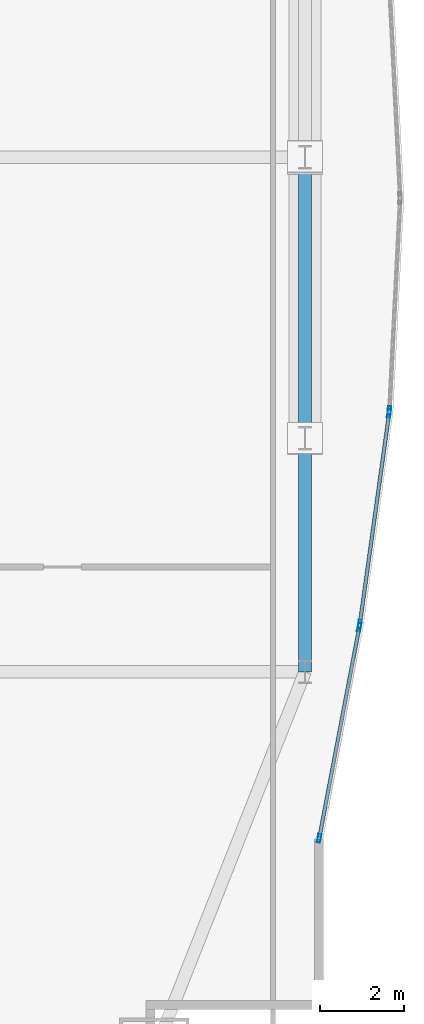
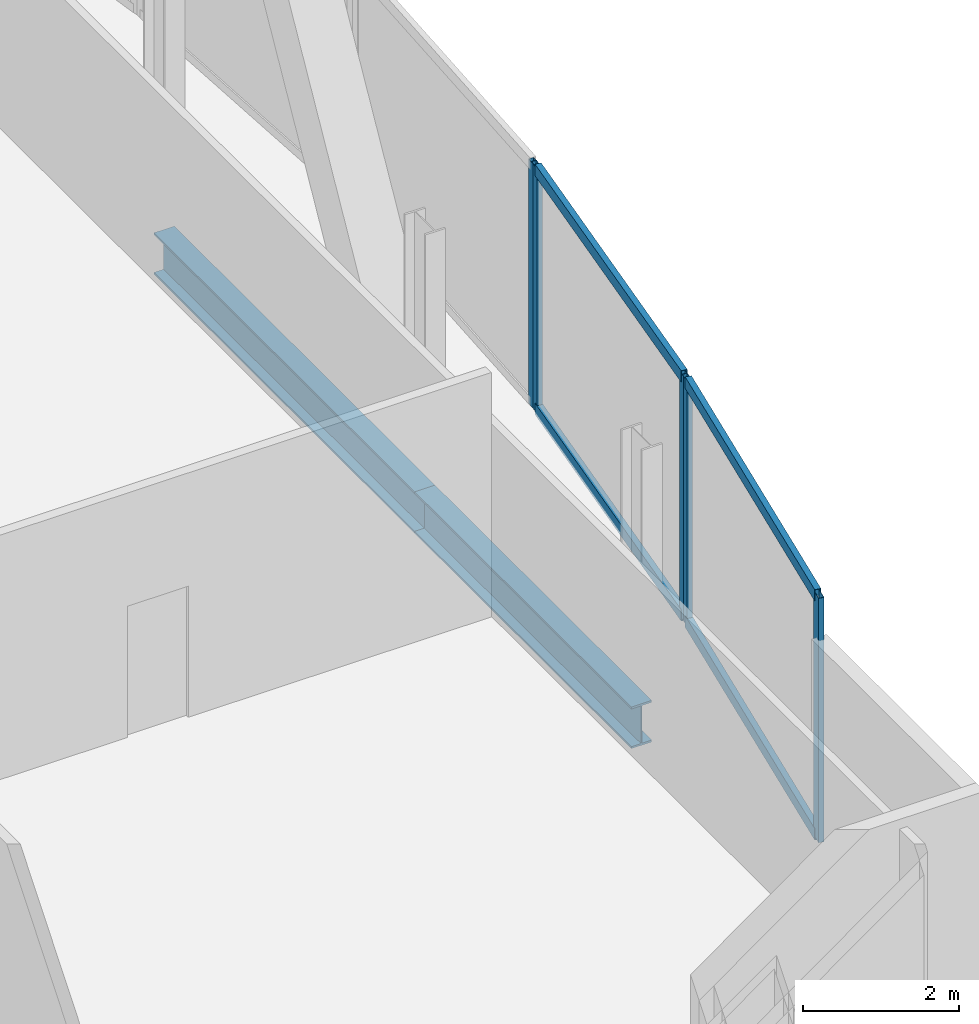
# One storey, part 22 of 37: 9 members, 2 beams, 3 elements without a shape of their own.
"""IFC4 building model written with IfcOpenShell, lengths in metres."""

import ifcopenshell
import ifcopenshell.guid

model = None  # the IFC model being written
_history = None  # IfcOwnerHistory: only IFC2X3 demands one
_inside = {}  # id of a spatial element -> (the spatial element, [elements in it])
_under = {}  # id of a project, library or spatial element -> (it, [spatial elements below it])
_declared = {}  # id of a project -> (the project, [libraries it declares])
_typed = {}  # id of a type object -> (the type object, [elements of that type])
_made_of = {}  # id of a material, layer set ... -> (it, [elements and type objects made of it])


def new_model(schema):
    """Start an empty IFC model of exactly this schema.

    Asked for "IFC4X3", IfcOpenShell would pick the latest addendum, in which some entities
    have other attributes; the version numbers below select the first issue.
    IFC2X3 requires an IfcOwnerHistory on every rooted entity: one is made here for all.
    """
    global model, _history
    if schema == "IFC4X3":
        model = ifcopenshell.file(schema_version=(4, 3, 0, 0))
    else:
        model = ifcopenshell.file(schema=schema)
    _inside.clear()
    _under.clear()
    _declared.clear()
    _typed.clear()
    _made_of.clear()
    _history = None
    if model.schema == "IFC2X3":
        org = make("IfcOrganization", Name="unknown")
        user = make(
            "IfcPersonAndOrganization",
            ThePerson=make("IfcPerson", FamilyName="unknown"),
            TheOrganization=org,
        )
        app = make(
            "IfcApplication",
            ApplicationDeveloper=org,
            Version="unknown",
            ApplicationFullName="unknown",
            ApplicationIdentifier="unknown",
        )
        _history = make(
            "IfcOwnerHistory",
            OwningUser=user,
            OwningApplication=app,
            ChangeAction="ADDED",
            CreationDate=0,
        )
    return model


def make(cls, **values):
    """One entity of the class cls with the attributes given. An attribute that is None is left unset."""
    return model.create_entity(
        cls, **{name: value for name, value in values.items() if value is not None}
    )


def rooted(cls, **values):
    """An entity with a GlobalId (a new one), such as an element, a storey or a relation."""
    return make(cls, GlobalId=ifcopenshell.guid.new(), OwnerHistory=_history, **values)


def si_unit(unit_type, name, prefix=None):
    """IfcSIUnit, for example si_unit("LENGTHUNIT", "METRE", prefix="MILLI")."""
    return make("IfcSIUnit", UnitType=unit_type, Prefix=prefix, Name=name)


def assignment(units):
    """IfcUnitAssignment: the units of a project."""
    return None if units is None else make("IfcUnitAssignment", Units=units)


def point(xyz):
    """IfcCartesianPoint."""
    return None if xyz is None else make("IfcCartesianPoint", Coordinates=xyz)


def direction(xyz):
    """IfcDirection."""
    return None if xyz is None else make("IfcDirection", DirectionRatios=xyz)


def frame(location, z_axis=None, x_axis=None):
    """IfcAxis2Placement3D, a coordinate frame: its origin and axes. An axis left out is left unset."""
    return make(
        "IfcAxis2Placement3D",
        Location=point(location),
        Axis=direction(z_axis),
        RefDirection=direction(x_axis),
    )


def frame_2d(location, x_axis=None):
    """IfcAxis2Placement2D, a coordinate frame in the plane: its origin and x axis."""
    return make(
        "IfcAxis2Placement2D", Location=point(location), RefDirection=direction(x_axis)
    )


def origin():
    """The frame at (0, 0, 0) with its axes left unset."""
    return frame((0.0, 0.0, 0.0))


def origin_2d():
    """The frame at (0, 0) in the plane with its x axis left unset."""
    return frame_2d((0.0, 0.0))


def place(relative_to, where):
    """IfcLocalPlacement: puts the frame where relative to a parent placement (None: the world)."""
    return make(
        "IfcLocalPlacement", PlacementRelTo=relative_to, RelativePlacement=where
    )


def context(
    kind, dimensions, precision=None, world=None, true_north=None, identifier=None
):
    """IfcGeometricRepresentationContext, for example the 3D "Model" context."""
    return make(
        "IfcGeometricRepresentationContext",
        ContextIdentifier=identifier,
        ContextType=kind,
        CoordinateSpaceDimension=dimensions,
        Precision=precision,
        WorldCoordinateSystem=world,
        TrueNorth=true_north,
    )


def subcontext(parent, identifier, kind, view, scale=None):
    """IfcGeometricRepresentationSubContext, for example "Body" below "Model"."""
    return make(
        "IfcGeometricRepresentationSubContext",
        ContextIdentifier=identifier,
        ContextType=kind,
        ParentContext=parent,
        TargetScale=scale,
        TargetView=view,
    )


def project(units=None, contexts=None):
    """IfcProject with its units and contexts."""
    return rooted(
        "IfcProject",
        Name="project",
        RepresentationContexts=contexts,
        UnitsInContext=assignment(units),
    )


def spatial(cls, under=None, at=None, **own):
    """A site, building, storey or space (cls), placed at a placement, below another one or the project."""
    s = rooted(cls, ObjectPlacement=at, **own)
    if under is not None:
        _under.setdefault(under.id(), (under, []))[1].append(s)
    return s


def profile(cls, at=None, kind="AREA", **sizes):
    """A parametric profile (cls). Its sizes go by their IFC names, for example OverallWidth=200.0."""
    return make(cls, ProfileType=kind, Position=at, **sizes)


def hollow_rectangle(**sizes):
    """IfcRectangleHollowProfileDef."""
    return profile("IfcRectangleHollowProfileDef", **sizes)


def i_section(**sizes):
    """IfcIShapeProfileDef."""
    return profile("IfcIShapeProfileDef", **sizes)


def extrude(swept, where, along, depth):
    """IfcExtrudedAreaSolid: the profile swept, set in the frame where, extruded along a direction by depth."""
    return make(
        "IfcExtrudedAreaSolid",
        SweptArea=swept,
        Position=where,
        ExtrudedDirection=direction(along),
        Depth=depth,
    )


def shape(context_of_items, identifier, shape_type, items):
    """IfcShapeRepresentation: the items that make up one representation, for example the "Body"."""
    return make(
        "IfcShapeRepresentation",
        ContextOfItems=context_of_items,
        RepresentationIdentifier=identifier,
        RepresentationType=shape_type,
        Items=items,
    )


def material(Name=None, Category=None):
    """IfcMaterial."""
    return make("IfcMaterial", Name=Name, Category=Category)


def material_profile(
    of_material, cross_section, Name=None, Category=None, Priority=None
):
    """IfcMaterialProfile: a cross section and its material."""
    return make(
        "IfcMaterialProfile",
        Name=Name,
        Material=of_material,
        Profile=cross_section,
        Priority=Priority,
        Category=Category,
    )


def profile_set(profiles, Name=None, composite=None):
    """IfcMaterialProfileSet."""
    return make(
        "IfcMaterialProfileSet",
        Name=Name,
        MaterialProfiles=profiles,
        CompositeProfile=composite,
    )


def made_of(thing, what):
    """Note that an element or type object is made of a material, layer set ...; save() writes the relation."""
    if what is not None:
        _made_of.setdefault(what.id(), (what, []))[1].append(thing)
    return thing


def type_object(cls, material=None, **own):
    """A type object (cls), such as IfcWallType, which elements share."""
    return made_of(rooted(cls, **own), material)


def element(
    cls,
    number,
    at=None,
    inside=None,
    cuts=None,
    type_object=None,
    material=None,
    context=None,
    identifier="Body",
    shape_type=None,
    held_by="IfcProductDefinitionShape",
    body=None,
    shapes=None,
    **own,
):
    """One element of the class cls, such as IfcWall. Its Tag is "e" and its number.

    at: its placement. inside: the storey or other place that contains it. cuts: it is an
    opening in that element (IfcRelVoidsElement). A single representation is given by context,
    identifier, shape_type and body (its items); several are given by shapes. held_by: the class
    of the entity that holds the representations. save() writes the other relations.
    """
    e = rooted(cls, Tag="e%d" % number, ObjectPlacement=at, **own)
    if body is not None:
        shapes = [shape(context, identifier, shape_type, body)]
    if shapes is not None:
        e.Representation = make(held_by, Representations=shapes)
    if inside is not None:
        _inside.setdefault(inside.id(), (inside, []))[1].append(e)
    if cuts is not None:
        rooted(
            "IfcRelVoidsElement", RelatingBuildingElement=cuts, RelatedOpeningElement=e
        )
    if type_object is not None:
        _typed.setdefault(type_object.id(), (type_object, []))[1].append(e)
    return made_of(e, material)


def aggregate(whole, parts):
    """IfcRelAggregates: a whole, such as a stair, and the parts it consists of."""
    return rooted("IfcRelAggregates", RelatingObject=whole, RelatedObjects=parts)


def save(model, path):
    """Write the relations noted so far, then the file.

    IfcRelAggregates (storeys below a building ...), IfcRelContainedInSpatialStructure (elements
    in a storey), IfcRelDefinesByType, IfcRelAssociatesMaterial and IfcRelDeclares: one each for
    every whole, place, type object, material and project.
    """
    for whole, parts in _under.values():
        aggregate(whole, parts)
    for where, things in _inside.values():
        rooted(
            "IfcRelContainedInSpatialStructure",
            RelatedElements=things,
            RelatingStructure=where,
        )
    for kind, things in _typed.values():
        rooted("IfcRelDefinesByType", RelatedObjects=things, RelatingType=kind)
    for what, things in _made_of.values():
        rooted("IfcRelAssociatesMaterial", RelatedObjects=things, RelatingMaterial=what)
    for by, libraries in _declared.values():
        rooted("IfcRelDeclares", RelatingContext=by, RelatedDefinitions=libraries)
    model.write(path)


model = new_model("IFC4")

# Units and contexts
model_context = context("Model", 3, precision=1e-05, world=origin(), true_north=direction((0.0, 1.0)))
body_context = subcontext(model_context, "Body", "Model", "MODEL_VIEW")
ifc_project = project(units=[si_unit("LENGTHUNIT", "METRE"), si_unit("AREAUNIT", "SQUARE_METRE"), si_unit("VOLUMEUNIT", "CUBIC_METRE"), si_unit("PLANEANGLEUNIT", "RADIAN"), si_unit("MASSUNIT", "GRAM", prefix="KILO")], contexts=[model_context])

# Site, building, storey
site_placement = place(None, origin())
site = spatial("IfcSite", under=ifc_project, at=site_placement, CompositionType="ELEMENT")
building_placement = place(site_placement, origin())
building = spatial("IfcBuilding", under=site, at=building_placement, Name="Khoronbel Lancet Exchange", CompositionType="ELEMENT")
storey_placement = place(building_placement, frame((0.0, 0.0, 61.800048828125)))
storey = spatial("IfcBuildingStorey", under=building, at=storey_placement, Name="L14", CompositionType="ELEMENT", Elevation=61.800048828125)

# Beams
ifc_material_1 = material(Name="Steel S355", Category="steel")
ifc_material_profile_1 = material_profile(ifc_material_1, i_section(OverallWidth=0.300048828125, OverallDepth=0.64990234375, WebThickness=0.01611328125, FlangeThickness=0.031005859375, at=origin_2d()), Name="HEB 650")
ifc_profile_set_1 = profile_set([ifc_material_profile_1], Name="Steel S355")
beam_type = type_object("IfcBeamType", Name="BM-BSP1", PredefinedType="SPANDREL", material=ifc_profile_set_1)
beam_1_placement = place(storey_placement, frame((71.6298828125, 19.199951171875, -0.505126953125), z_axis=(0.0, 1.0, 0.0), x_axis=(-1.0, 0.0, 0.0)))
element("IfcBeam", 1, at=beam_1_placement, inside=storey, type_object=beam_type, Name="Level L14 perimeter spandrel beam SP11", PredefinedType="SPANDREL", context=body_context, shape_type="SweptSolid", body=[
    extrude(i_section(OverallWidth=0.300048828125, OverallDepth=0.64990234375, WebThickness=0.01611328125, FlangeThickness=0.031005859375, at=origin_2d()), origin(), (0.0, 0.0, 1.0), 5.550048828125),
])
beam_2_placement = place(storey_placement, frame((71.6298828125, 24.75, -0.505126953125), z_axis=(0.0, 1.0, 0.0), x_axis=(-1.0, 0.0, 0.0)))
element("IfcBeam", 2, at=beam_2_placement, inside=storey, type_object=beam_type, Name="Level L14 perimeter spandrel beam SP12", PredefinedType="SPANDREL", context=body_context, shape_type="SweptSolid", body=[
    extrude(i_section(OverallWidth=0.300048828125, OverallDepth=0.64990234375, WebThickness=0.01611328125, FlangeThickness=0.031005859375, at=origin_2d()), origin(), (0.0, 0.0, 1.0), 6.675048828125),
])

# Curtain wall, member
ifc_material_2 = material(Name="Low-E Solar Control Insulating Glass", Category="glass")
curtain_wall_type = type_object("IfcCurtainWallType", Name="CW-4", PredefinedType="NOTDEFINED", material=ifc_material_2)
curtain_wall_1_placement = place(storey_placement, origin())
curtain_wall_1 = element("IfcCurtainWall", 3, at=curtain_wall_1_placement, inside=storey, type_object=curtain_wall_type, Name="Unitised curtain wall CW-L14-E20", PredefinedType="NOTDEFINED")
ifc_material_3 = material(Name="Bronze-Anodised Aluminium 6063-T6", Category="aluminium")
ifc_material_profile_2 = material_profile(ifc_material_3, hollow_rectangle(XDim=0.074951171875, YDim=0.199951171875, WallThickness=0.0048828125, at=origin_2d()), Name="ALU MULLION 75x200")
ifc_profile_set_2 = profile_set([ifc_material_profile_2], Name="Bronze-Anodised Aluminium 6063-T6")
member_type_1 = type_object("IfcMemberType", Name="MEM-CWM2", PredefinedType="MULLION", material=ifc_profile_set_2)
member_1_placement = place(storey_placement, frame((73.634033203125, 25.41259765625, 0.0), z_axis=(0.0, 0.0, 1.0), x_axis=(0.998708178713, -0.050813125988, 0.0)))
member_1 = element("IfcMember", 4, at=member_1_placement, type_object=member_type_1, Name="CW4 mullion 2", PredefinedType="MULLION", context=body_context, shape_type="SweptSolid", body=[
    extrude(hollow_rectangle(XDim=0.074951171875, YDim=0.199951171875, WallThickness=0.0048828125, at=origin_2d()), origin(), (0.0, 0.0, 1.0), 3.820068359375),
])
aggregate(curtain_wall_1, [member_1])

# Curtain wall, members
curtain_wall_2_placement = place(storey_placement, origin())
curtain_wall_2 = element("IfcCurtainWall", 5, at=curtain_wall_2_placement, inside=storey, type_object=curtain_wall_type, Name="Unitised curtain wall CW-L14-E21", PredefinedType="NOTDEFINED")
member_2_placement = place(storey_placement, frame((73.626953125, 25.338134765625, 0.0), z_axis=(0.0, 0.0, 1.0), x_axis=(0.9904784605, -0.137667785939, 0.0)))
member_2 = element("IfcMember", 6, at=member_2_placement, type_object=member_type_1, Name="CW4 mullion 1", PredefinedType="MULLION", context=body_context, shape_type="SweptSolid", body=[
    extrude(hollow_rectangle(XDim=0.074951171875, YDim=0.199951171875, WallThickness=0.0048828125, at=origin_2d()), origin(), (0.0, 0.0, 1.0), 3.820068359375),
])
member_3_placement = place(storey_placement, frame((72.931640625, 20.3349609375, 0.0), z_axis=(0.0, 0.0, 1.0), x_axis=(0.9904784605, -0.137667785939, 0.0)))
member_3 = element("IfcMember", 7, at=member_3_placement, type_object=member_type_1, Name="CW4 mullion 2", PredefinedType="MULLION", context=body_context, shape_type="SweptSolid", body=[
    extrude(hollow_rectangle(XDim=0.074951171875, YDim=0.199951171875, WallThickness=0.0048828125, at=origin_2d()), origin(), (0.0, 0.0, 1.0), 3.820068359375),
])

curtain_wall_3_placement = place(storey_placement, origin())
curtain_wall_3 = element("IfcCurtainWall", 8, at=curtain_wall_3_placement, inside=storey, type_object=curtain_wall_type, Name="Unitised curtain wall CW-L14-E22", PredefinedType="NOTDEFINED")
member_4_placement = place(storey_placement, frame((72.91943359375, 20.260986328125, 0.0), z_axis=(0.0, 0.0, 1.0), x_axis=(0.982445189576, -0.186551466034, 0.0)))
member_4 = element("IfcMember", 9, at=member_4_placement, type_object=member_type_1, Name="CW4 mullion 1", PredefinedType="MULLION", context=body_context, shape_type="SweptSolid", body=[
    extrude(hollow_rectangle(XDim=0.074951171875, YDim=0.199951171875, WallThickness=0.0048828125, at=origin_2d()), origin(), (0.0, 0.0, 1.0), 3.820068359375),
])
member_5_placement = place(storey_placement, frame((71.967041015625, 15.245361328125, 0.0), z_axis=(0.0, 0.0, 1.0), x_axis=(0.982445189576, -0.186551466034, 0.0)))
member_5 = element("IfcMember", 10, at=member_5_placement, type_object=member_type_1, Name="CW4 mullion 2", PredefinedType="MULLION", context=body_context, shape_type="SweptSolid", body=[
    extrude(hollow_rectangle(XDim=0.074951171875, YDim=0.199951171875, WallThickness=0.0048828125, at=origin_2d()), origin(), (0.0, 0.0, 1.0), 3.820068359375),
])

# Member
ifc_material_profile_3 = material_profile(ifc_material_3, hollow_rectangle(XDim=0.0849609375, YDim=0.179931640625, WallThickness=0.0048828125, at=origin_2d()), Name="ALU TRANSOM 85x180")
ifc_profile_set_3 = profile_set([ifc_material_profile_3], Name="Bronze-Anodised Aluminium 6063-T6")
member_type_2 = type_object("IfcMemberType", Name="MEM-CWT1", PredefinedType="USERDEFINED", material=ifc_profile_set_3)
member_6_placement = place(storey_placement, frame((73.621826171875, 25.301025390625, 0.04248046875), z_axis=(-0.137663297376, -0.990479084361, 0.0), x_axis=(0.990479084361, -0.137663297376, 0.0)))
member_6 = element("IfcMember", 11, at=member_6_placement, type_object=member_type_2, Name="CW4 transom 1.1", ObjectType="TRANSOM", PredefinedType="USERDEFINED", context=body_context, shape_type="SweptSolid", body=[
    extrude(hollow_rectangle(XDim=0.0849609375, YDim=0.179931640625, WallThickness=0.0048828125, at=origin_2d()), origin(), (0.0, 0.0, 1.0), 4.976318359375),
])

member_7_placement = place(storey_placement, frame((73.621826171875, 25.301025390625, 3.77734375), z_axis=(-0.137663297376, -0.990479084361, 0.0), x_axis=(0.990479084361, -0.137663297376, 0.0)))
member_7 = element("IfcMember", 12, at=member_7_placement, type_object=member_type_2, Name="CW4 transom 1.2", ObjectType="TRANSOM", PredefinedType="USERDEFINED", context=body_context, shape_type="SweptSolid", body=[
    extrude(hollow_rectangle(XDim=0.0849609375, YDim=0.179931640625, WallThickness=0.0048828125, at=origin_2d()), origin(), (0.0, 0.0, 1.0), 4.976318359375),
])

aggregate(curtain_wall_2, [member_2, member_3, member_6, member_7])

member_8_placement = place(storey_placement, frame((72.912353515625, 20.22412109375, 0.04248046875), z_axis=(-0.186567894323, -0.98244206995, 0.0), x_axis=(0.98244206995, -0.186567894323, 0.0)))
member_8 = element("IfcMember", 13, at=member_8_placement, type_object=member_type_2, Name="CW4 transom 1.1", ObjectType="TRANSOM", PredefinedType="USERDEFINED", context=body_context, shape_type="SweptSolid", body=[
    extrude(hollow_rectangle(XDim=0.0849609375, YDim=0.179931640625, WallThickness=0.0048828125, at=origin_2d()), origin(), (0.0, 0.0, 1.0), 5.0302734375),
])

member_9_placement = place(storey_placement, frame((72.912353515625, 20.22412109375, 3.77734375), z_axis=(-0.186567894323, -0.98244206995, 0.0), x_axis=(0.98244206995, -0.186567894323, 0.0)))
member_9 = element("IfcMember", 14, at=member_9_placement, type_object=member_type_2, Name="CW4 transom 1.2", ObjectType="TRANSOM", PredefinedType="USERDEFINED", context=body_context, shape_type="SweptSolid", body=[
    extrude(hollow_rectangle(XDim=0.0849609375, YDim=0.179931640625, WallThickness=0.0048828125, at=origin_2d()), origin(), (0.0, 0.0, 1.0), 5.0302734375),
])

aggregate(curtain_wall_3, [member_4, member_5, member_8, member_9])

save(model, "model.ifc")
